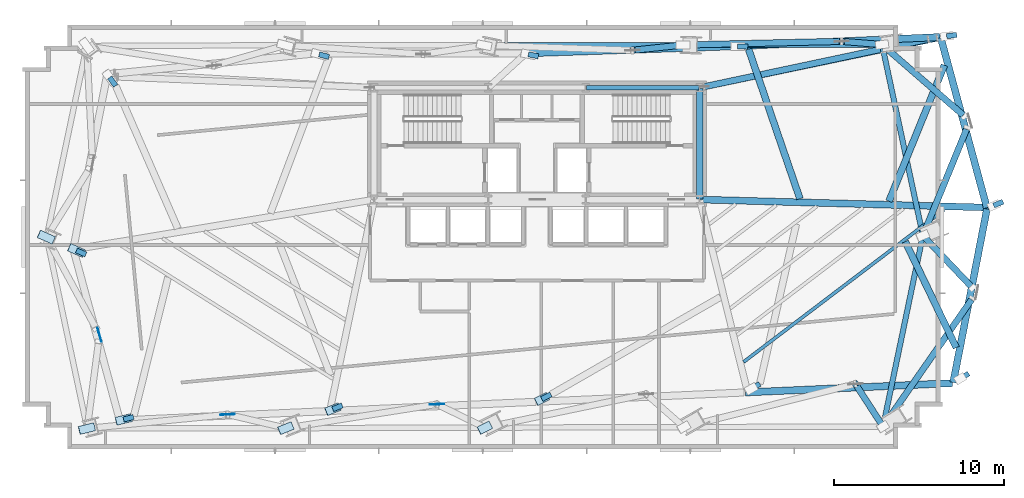
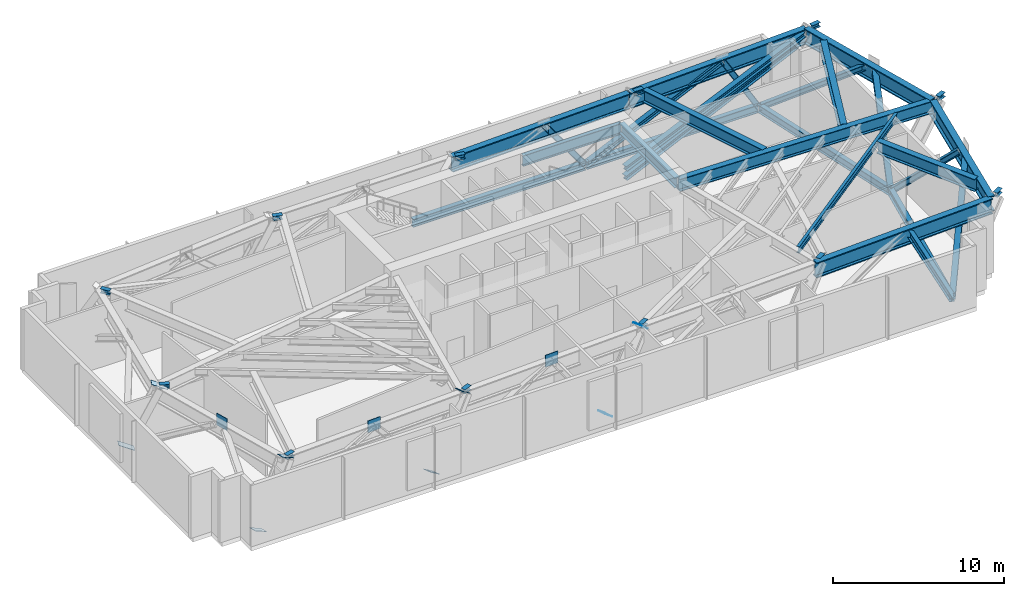
# One storey, part 3 of 11: 24 beams, 14 members, 11 plates.
"""IFC4 building model written with IfcOpenShell, lengths in metres."""

from ifc_helpers import new_model, si_unit, direction, frame, origin, origin_2d, place, context, subcontext, project, spatial, rectangle, i_section, extrude, source, transform, mapped, material, layer, layer_set, material_profile, profile_set, type_object, type_shapes, element, save


model = new_model("IFC4")

# Units and contexts
model_context = context("Model", 3, precision=1e-05, world=origin(), true_north=direction((0.0, 1.0)))
body_context = subcontext(model_context, "Body", "Model", "MODEL_VIEW")
ifc_project = project(units=[si_unit("LENGTHUNIT", "METRE"), si_unit("AREAUNIT", "SQUARE_METRE"), si_unit("VOLUMEUNIT", "CUBIC_METRE"), si_unit("PLANEANGLEUNIT", "RADIAN"), si_unit("MASSUNIT", "GRAM", prefix="KILO")], contexts=[model_context])

# Site, building, storey
site_placement = place(None, origin())
site = spatial("IfcSite", under=ifc_project, at=site_placement, CompositionType="ELEMENT")
building_placement = place(site_placement, origin())
building = spatial("IfcBuilding", under=site, at=building_placement, Name="Astriad Promenade Condominiums", CompositionType="ELEMENT")
storey_placement = place(building_placement, frame((0.0, 0.0, 67.800048828125)))
storey = spatial("IfcBuildingStorey", under=building, at=storey_placement, Name="L19", CompositionType="ELEMENT", Elevation=67.800048828125)

# Beams
ifc_material_1 = material(Name="Steel ASTM A992 Grade 50", Category="steel")
ifc_material_profile_1 = material_profile(ifc_material_1, i_section(OverallWidth=0.267822265625, OverallDepth=0.76953125, WebThickness=0.015625, FlangeThickness=0.025390625, FilletRadius=0.021484375, at=origin_2d()), Name="W30X132")
ifc_profile_set_1 = profile_set([ifc_material_profile_1], Name="Steel ASTM A992 Grade 50")
beam_type_1 = type_object("IfcBeamType", Name="STEEL FLOOR GIRDER W30X132", PredefinedType="BEAM", material=ifc_profile_set_1)
shared_shape_1 = source(origin(), body_context, "Body", "SweptSolid", [
    extrude(i_section(OverallWidth=0.267822265625, OverallDepth=0.76953125, WebThickness=0.015625, FlangeThickness=0.025390625, FilletRadius=0.021484375, at=origin_2d()), origin(), (0.0, 0.0, 1.0), 6.64013671875),
])
type_shapes(beam_type_1, [shared_shape_1])
beam_1_placement = place(storey_placement, frame((38.919921875, 24.0, 3.9951171875), z_axis=(1.0, 0.0, 0.0), x_axis=(0.0, 1.0, 0.0)))
element("IfcBeam", 1, at=beam_1_placement, inside=storey, type_object=beam_type_1, Name="Core Ring Beam CG-N3-L19", PredefinedType="BEAM", context=body_context, shape_type="MappedRepresentation", body=[
    mapped(shared_shape_1, transform((0.0, 0.0, 0.0), scale=1.0)),
])
ifc_material_profile_2 = material_profile(ifc_material_1, i_section(OverallWidth=0.35791015625, OverallDepth=0.706298828125, WebThickness=0.018310546875, FlangeThickness=0.0302734375, FilletRadius=0.020263671875, at=origin_2d()), Name="W27X178")
ifc_profile_set_2 = profile_set([ifc_material_profile_2], Name="Steel ASTM A992 Grade 50")
beam_type_2 = type_object("IfcBeamType", Name="STEEL FLOOR GIRDER W27X178", PredefinedType="BEAM", material=ifc_profile_set_2)
shared_shape_2 = source(origin(), body_context, "Body", "SweptSolid", [
    extrude(i_section(OverallWidth=0.35791015625, OverallDepth=0.706298828125, WebThickness=0.018310546875, FlangeThickness=0.0302734375, FilletRadius=0.020263671875, at=origin_2d()), origin(), (0.0, 0.0, 1.0), 6.52001953125),
])
type_shapes(beam_type_2, [shared_shape_2])
beam_2_placement = place(storey_placement, frame((45.60009765625, 17.43994140625, 4.02685546875), z_axis=(0.0, 1.0, 0.0), x_axis=(-1.0, 0.0, 0.0)))
element("IfcBeam", 2, at=beam_2_placement, inside=storey, type_object=beam_type_2, Name="Core Ring Beam CG-E1-L19", PredefinedType="BEAM", context=body_context, shape_type="MappedRepresentation", body=[
    mapped(shared_shape_2, transform((0.0, 0.0, 0.0), scale=1.0)),
])
ifc_material_profile_3 = material_profile(ifc_material_1, i_section(OverallWidth=0.3046875, OverallDepth=0.307861328125, WebThickness=0.010009765625, FlangeThickness=0.015380859375, FilletRadius=0.01513671875, at=origin_2d()), Name="W12X65")
ifc_profile_set_3 = profile_set([ifc_material_profile_3], Name="Steel ASTM A992 Grade 50")
beam_type_3 = type_object("IfcBeamType", Name="STEEL TRANSFER SPLICE HEADER W12X65", PredefinedType="LINTEL", material=ifc_profile_set_3)
shared_shape_3 = source(origin(), body_context, "Body", "SweptSolid", [
    extrude(i_section(OverallWidth=0.3046875, OverallDepth=0.307861328125, WebThickness=0.010009765625, FlangeThickness=0.015380859375, FilletRadius=0.01513671875, at=origin_2d()), origin(), (0.0, 0.0, 1.0), 0.6015625),
])
for number, where, z_axis, x_axis, name in (
    (3, (11.622802734375, 4.4296875, 4.22607421875), (0.970712710655, 0.24024327956, 0.0), (-0.24024327956, 0.970712710655, 0.0), "Column Transfer Splice Header SPL-PC01-L19"),
    (4, (23.9580078125, 5.0341796875, 4.22607421875), (0.92721202951, 0.374536850432, 0.0), (-0.374536850432, 0.92721202951, 0.0), "Column Transfer Splice Header SPL-PC02-L19"),
    (5, (36.289794921875, 5.633544921875, 4.22607421875), (0.89361407939, 0.448836136152, 0.0), (-0.448836136152, 0.89361407939, 0.0), "Column Transfer Splice Header SPL-PC03-L19"),
    (6, (48.620361328125, 6.22998046875, 4.22607421875), (0.868567654377, 0.495570610277, 0.0), (-0.495570610277, 0.868567654377, 0.0), "Column Transfer Splice Header SPL-PC04-L19"),
    (7, (60.95068359375, 6.82470703125, 4.22607421875), (0.849953586444, 0.526857571731, 0.0), (-0.526857571731, 0.849953586444, 0.0), "Column Transfer Splice Header SPL-PC05-L19"),
    (8, (10.798828125, 24.59765625, 4.22607421875), (0.588509504556, -0.808490298672, 0.0), (0.808490298672, 0.588509504556, 0.0), "Column Transfer Splice Header SPL-PC06-L19"),
    (9, (23.15478515625, 25.96435546875, 4.22607421875), (0.965128162962, -0.261777823848, 0.0), (0.261777823848, 0.965128162962, 0.0), "Column Transfer Splice Header SPL-PC07-L19"),
    (10, (47.831298828125, 26.4306640625, 4.22607421875), (0.999641164632, -0.026786973961, 0.0), (0.026786973961, 0.999641164632, 0.0), "Column Transfer Splice Header SPL-PC09-L19"),
    (11, (60.164306640625, 27.035400390625, 4.22607421875), (0.991634328472, 0.129078885163, 0.0), (-0.129078885163, 0.991634328472, 0.0), "Column Transfer Splice Header SPL-PC10-L19"),
    (12, (8.84130859375, 14.39990234375, 4.22607421875), (0.915410737157, -0.40252103336, 0.0), (0.40252103336, 0.915410737157, 0.0), "Column Transfer Splice Header SPL-PC11-L19"),
    (13, (62.9326171875, 17.042724609375, 4.22607421875), (0.920815952218, 0.389997412993, 0.0), (-0.389997412993, 0.920815952218, 0.0), "Column Transfer Splice Header SPL-PC12-L19"),
):
    element("IfcBeam", number, at=place(storey_placement, frame(where, z_axis=z_axis, x_axis=x_axis)), inside=storey, type_object=beam_type_3, Name=name, PredefinedType="LINTEL", context=body_context, shape_type="MappedRepresentation", body=[
        mapped(shared_shape_3, transform((0.0, 0.0, 0.0), scale=1.0)),
    ])
shared_shape_4 = source(origin(), body_context, "Body", "SweptSolid", [
    extrude(i_section(OverallWidth=0.3046875, OverallDepth=0.307861328125, WebThickness=0.010009765625, FlangeThickness=0.015380859375, FilletRadius=0.01513671875, at=origin_2d()), origin(), (0.0, 0.0, 1.0), 0.601318359375),
])
type_shapes(beam_type_3, [shared_shape_3, shared_shape_4])
beam_3_placement = place(storey_placement, frame((35.494384765625, 25.967041015625, 4.22607421875), z_axis=(0.979600651541, -0.200954132828, 0.0), x_axis=(0.200954132828, 0.979600651541, 0.0)))
element("IfcBeam", 14, at=beam_3_placement, inside=storey, type_object=beam_type_3, Name="Column Transfer Splice Header SPL-PC08-L19", PredefinedType="LINTEL", context=body_context, shape_type="MappedRepresentation", body=[
    mapped(shared_shape_4, transform((0.0, 0.0, 0.0), scale=1.0)),
])
ifc_material_profile_4 = material_profile(ifc_material_1, i_section(OverallWidth=0.4169921875, OverallDepth=1.093505859375, WebThickness=0.0390625, FlangeThickness=0.070068359375, FilletRadius=0.025390625, at=origin_2d()), Name="W40X503")
ifc_profile_set_4 = profile_set([ifc_material_profile_4], Name="Steel ASTM A992 Grade 50")
beam_type_4 = type_object("IfcBeamType", Name="STEEL TRANSFER GIRDER W40X503", PredefinedType="BEAM", material=ifc_profile_set_4)
shared_shape_5 = source(origin(), body_context, "Body", "SweptSolid", [
    extrude(i_section(OverallWidth=0.4169921875, OverallDepth=1.093505859375, WebThickness=0.0390625, FlangeThickness=0.070068359375, FilletRadius=0.025390625, at=origin_2d()), origin(), (0.0, 0.0, 1.0), 12.218505859375),
])
for number, where, z_axis, x_axis, name in (
    (15, (48.296630859375, 6.0244140625, 3.833251953125), (0.99900233011, 0.044658083641, 0.0), (-0.044658083641, 0.99900233011, 0.0), "Perimeter Spandrel Beam SP-S4-L19"),
    (16, (59.76318359375, 26.986572265625, 3.833251953125), (-0.99900233011, -0.044658083641, 0.0), (0.044658083641, -0.99900233011, 0.0), "Perimeter Spandrel Beam SP-N4-L19"),
):
    element("IfcBeam", number, at=place(storey_placement, frame(where, z_axis=z_axis, x_axis=x_axis)), inside=storey, type_object=beam_type_4, Name=name, PredefinedType="BEAM", context=body_context, shape_type="MappedRepresentation", body=[
        mapped(shared_shape_5, transform((0.0, 0.0, 0.0), scale=1.0)),
    ])
shared_shape_6 = source(origin(), body_context, "Body", "SweptSolid", [
    extrude(i_section(OverallWidth=0.4169921875, OverallDepth=1.093505859375, WebThickness=0.0390625, FlangeThickness=0.070068359375, FilletRadius=0.025390625, at=origin_2d()), origin(), (0.0, 0.0, 1.0), 10.42138671875),
])
beam_4_placement = place(storey_placement, frame((60.550537109375, 6.611083984375, 3.833251953125), z_axis=(0.190950545679, 0.981599658264, 0.0), x_axis=(-0.981599658264, 0.190950545679, 0.0)))
element("IfcBeam", 17, at=beam_4_placement, inside=storey, type_object=beam_type_4, Name="Perimeter Spandrel Beam SP-E1-L19", PredefinedType="BEAM", context=body_context, shape_type="MappedRepresentation", body=[
    mapped(shared_shape_6, transform((0.0, 0.0, 0.0), scale=1.0)),
])
shared_shape_7 = source(origin(), body_context, "Body", "SweptSolid", [
    extrude(i_section(OverallWidth=0.4169921875, OverallDepth=1.093505859375, WebThickness=0.0390625, FlangeThickness=0.070068359375, FilletRadius=0.025390625, at=origin_2d()), origin(), (0.0, 0.0, 1.0), 10.394287109375),
])
beam_5_placement = place(storey_placement, frame((62.53759765625, 16.918701171875, 3.833251953125), z_axis=(-0.262055948994, 0.965052682291, 0.0), x_axis=(-0.965052682291, -0.262055948994, 0.0)))
element("IfcBeam", 18, at=beam_5_placement, inside=storey, type_object=beam_type_4, Name="Perimeter Spandrel Beam SP-E2-L19", PredefinedType="BEAM", context=body_context, shape_type="MappedRepresentation", body=[
    mapped(shared_shape_7, transform((0.0, 0.0, 0.0), scale=1.0)),
])
shared_shape_8 = source(origin(), body_context, "Body", "SweptSolid", [
    extrude(i_section(OverallWidth=0.4169921875, OverallDepth=1.093505859375, WebThickness=0.0390625, FlangeThickness=0.070068359375, FilletRadius=0.025390625, at=origin_2d()), origin(), (0.0, 0.0, 1.0), 12.213623046875),
])
type_shapes(beam_type_4, [shared_shape_5, shared_shape_6, shared_shape_7, shared_shape_8])
beam_6_placement = place(storey_placement, frame((47.47705078125, 26.4375, 3.833251953125), z_axis=(-0.999422454481, -0.033981722721, 0.0), x_axis=(0.033981722721, -0.999422454481, 0.0)))
element("IfcBeam", 19, at=beam_6_placement, inside=storey, type_object=beam_type_4, Name="Perimeter Spandrel Beam SP-N3-L19", PredefinedType="BEAM", context=body_context, shape_type="MappedRepresentation", body=[
    mapped(shared_shape_8, transform((0.0, 0.0, 0.0), scale=1.0)),
])
ifc_material_profile_5 = material_profile(ifc_material_1, i_section(OverallWidth=0.4013671875, OverallDepth=0.877197265625, WebThickness=0.022216796875, FlangeThickness=0.039794921875, FilletRadius=0.02294921875, at=origin_2d()), Name="W33X263")
ifc_profile_set_5 = profile_set([ifc_material_profile_5], Name="Steel ASTM A992 Grade 50")
beam_type_5 = type_object("IfcBeamType", Name="STEEL PRIMARY GIRDER W33X263", PredefinedType="BEAM", material=ifc_profile_set_5)
shared_shape_9 = source(origin(), body_context, "Body", "SweptSolid", [
    extrude(i_section(OverallWidth=0.4013671875, OverallDepth=0.877197265625, WebThickness=0.022216796875, FlangeThickness=0.039794921875, FilletRadius=0.02294921875, at=origin_2d()), origin(), (0.0, 0.0, 1.0), 16.98681640625),
])
type_shapes(beam_type_5, [shared_shape_9])
beam_7_placement = place(storey_placement, frame((62.6201171875, 16.9287109375, 3.94140625), z_axis=(-0.99961679945, 0.027681297979, 0.0), x_axis=(-0.027681297979, -0.99961679945, 0.0)))
element("IfcBeam", 20, at=beam_7_placement, inside=storey, type_object=beam_type_5, Name="Primary Floor Girder PG-EM-L19", PredefinedType="BEAM", context=body_context, shape_type="MappedRepresentation", body=[
    mapped(shared_shape_9, transform((0.0, 0.0, 0.0), scale=1.0)),
])
ifc_material_profile_6 = material_profile(ifc_material_1, i_section(OverallWidth=0.19287109375, OverallDepth=0.466064453125, WebThickness=0.011474609375, FlangeThickness=0.01904296875, FilletRadius=0.01513671875, at=origin_2d()), Name="W18X65")
ifc_profile_set_6 = profile_set([ifc_material_profile_6], Name="Steel ASTM A992 Grade 50")
beam_type_6 = type_object("IfcBeamType", Name="STEEL FLOOR JOIST W18X65", PredefinedType="JOIST", material=ifc_profile_set_6)
shared_shape_10 = source(origin(), body_context, "Body", "SweptSolid", [
    extrude(i_section(OverallWidth=0.19287109375, OverallDepth=0.466064453125, WebThickness=0.011474609375, FlangeThickness=0.01904296875, FilletRadius=0.01513671875, at=origin_2d()), origin(), (0.0, 0.0, 1.0), 14.83984375),
])
type_shapes(beam_type_6, [shared_shape_10])
beam_8_placement = place(storey_placement, frame((48.188720703125, 7.821533203125, 4.14697265625), z_axis=(0.796513954502, 0.604620145449, 0.0), x_axis=(-0.604620145449, 0.796513954502, 0.0)))
element("IfcBeam", 21, at=beam_8_placement, inside=storey, type_object=beam_type_6, Name="Secondary Composite Floor Joist JE1-1-L19", PredefinedType="JOIST", context=body_context, shape_type="MappedRepresentation", body=[
    mapped(shared_shape_10, transform((0.0, 0.0, 0.0), scale=1.0)),
])
ifc_material_profile_7 = material_profile(ifc_material_1, i_section(OverallWidth=0.4013671875, OverallDepth=0.877197265625, WebThickness=0.022216796875, FlangeThickness=0.039794921875, FilletRadius=0.02294921875, at=origin_2d()), Name="W33X263")
ifc_profile_set_7 = profile_set([ifc_material_profile_7], Name="Steel ASTM A992 Grade 50")
beam_type_7 = type_object("IfcBeamType", Name="STEEL TRANSFER CARRIER GIRDER W33X263", PredefinedType="BEAM", material=ifc_profile_set_7)
shared_shape_11 = source(origin(), body_context, "Body", "SweptSolid", [
    extrude(i_section(OverallWidth=0.4013671875, OverallDepth=0.877197265625, WebThickness=0.022216796875, FlangeThickness=0.039794921875, FilletRadius=0.02294921875, at=origin_2d()), origin(), (0.0, 0.0, 1.0), 6.947998046875),
])
beam_9_placement = place(storey_placement, frame((57.72021484375, 14.923583984375, 3.94140625), z_axis=(0.433329562612, -0.901235535344, 0.0), x_axis=(0.901235535344, 0.433329562612, 0.0)))
element("IfcBeam", 22, at=beam_9_placement, inside=storey, type_object=beam_type_7, Name="Transfer Splice Carrier TRM-SP-PC05-L19", PredefinedType="BEAM", context=body_context, shape_type="MappedRepresentation", body=[
    mapped(shared_shape_11, transform((0.0, 0.0, 0.0), scale=1.0)),
])
shared_shape_12 = source(origin(), body_context, "Body", "SweptSolid", [
    extrude(i_section(OverallWidth=0.4013671875, OverallDepth=0.877197265625, WebThickness=0.022216796875, FlangeThickness=0.039794921875, FilletRadius=0.02294921875, at=origin_2d()), origin(), (0.0, 0.0, 1.0), 9.322265625),
])
beam_10_placement = place(storey_placement, frame((51.51025390625, 17.4462890625, 3.94140625), z_axis=(-0.324582755862, 0.945857301392, 0.0), x_axis=(-0.945857301392, -0.324582755862, 0.0)))
element("IfcBeam", 23, at=beam_10_placement, inside=storey, type_object=beam_type_7, Name="Transfer Splice Carrier TRM-SP-PC09-L19", PredefinedType="BEAM", context=body_context, shape_type="MappedRepresentation", body=[
    mapped(shared_shape_12, transform((0.0, 0.0, 0.0), scale=1.0)),
])
shared_shape_13 = source(origin(), body_context, "Body", "SweptSolid", [
    extrude(i_section(OverallWidth=0.4013671875, OverallDepth=0.877197265625, WebThickness=0.022216796875, FlangeThickness=0.039794921875, FilletRadius=0.02294921875, at=origin_2d()), origin(), (0.0, 0.0, 1.0), 8.66552734375),
])
type_shapes(beam_type_7, [shared_shape_11, shared_shape_12, shared_shape_13])
beam_11_placement = place(storey_placement, frame((56.76171875, 17.301025390625, 3.94140625), z_axis=(0.377415910117, 0.926043860079, 0.0), x_axis=(-0.926043860079, 0.377415910117, 0.0)))
element("IfcBeam", 24, at=beam_11_placement, inside=storey, type_object=beam_type_7, Name="Transfer Splice Carrier TRM-SP-PC10-L19", PredefinedType="BEAM", context=body_context, shape_type="MappedRepresentation", body=[
    mapped(shared_shape_13, transform((0.0, 0.0, 0.0), scale=1.0)),
])

# Members
ifc_material_profile_8 = material_profile(ifc_material_1, i_section(OverallWidth=0.37255859375, OverallDepth=0.367919921875, WebThickness=0.014892578125, FlangeThickness=0.02392578125, FilletRadius=0.017822265625, at=origin_2d()), Name="W14X120")
ifc_profile_set_8 = profile_set([ifc_material_profile_8], Name="Steel ASTM A992 Grade 50")
member_type_1 = type_object("IfcMemberType", Name="STEEL OUTRIGGER DIAGONAL W14X120", PredefinedType="BRACE", material=ifc_profile_set_8)
shared_shape_14 = source(origin(), body_context, "Body", "SweptSolid", [
    extrude(i_section(OverallWidth=0.37255859375, OverallDepth=0.367919921875, WebThickness=0.014892578125, FlangeThickness=0.02392578125, FilletRadius=0.017822265625, at=origin_2d()), origin(), (0.0, 0.0, 1.0), 4.99560546875),
])
member_1_placement = place(storey_placement, frame((56.40380859375, 4.023681640625, 0.16015625), z_axis=(-0.322738895314, 0.498378445551, 0.804648078642), x_axis=(-0.839371358594, -0.543558389111, 0.0)))
element("IfcMember", 25, at=member_1_placement, inside=storey, type_object=member_type_1, Name="Belt Truss Diagonal L19-04B", PredefinedType="BRACE", context=body_context, shape_type="MappedRepresentation", body=[
    mapped(shared_shape_14, transform((0.0, 0.0, 0.0), scale=1.0)),
])
ifc_material_profile_9 = material_profile(ifc_material_1, i_section(OverallWidth=0.31787109375, OverallDepth=0.560302734375, WebThickness=0.018310546875, FlangeThickness=0.029296875, FilletRadius=0.0166015625, at=origin_2d()), Name="W21X147")
ifc_profile_set_9 = profile_set([ifc_material_profile_9], Name="Steel ASTM A992 Grade 50")
member_type_2 = type_object("IfcMemberType", Name="STEEL BELT TRUSS CHORD W21X147", PredefinedType="CHORD", material=ifc_profile_set_9)
shared_shape_15 = source(origin(), body_context, "Body", "SweptSolid", [
    extrude(i_section(OverallWidth=0.31787109375, OverallDepth=0.560302734375, WebThickness=0.018310546875, FlangeThickness=0.029296875, FilletRadius=0.0166015625, at=origin_2d()), origin(), (0.0, 0.0, 1.0), 11.677001953125),
])
member_2_placement = place(storey_placement, frame((32.913818359375, 26.501708984375, 0.139892578125), z_axis=(0.999999159824, 0.001296283592, 0.0), x_axis=(-0.001296283592, 0.999999159824, 0.0)))
element("IfcMember", 26, at=member_2_placement, inside=storey, type_object=member_type_2, Name="Belt Truss Chord L19-07", PredefinedType="CHORD", context=body_context, shape_type="MappedRepresentation", body=[
    mapped(shared_shape_15, transform((0.0, 0.0, 0.0), scale=1.0)),
])
shared_shape_16 = source(origin(), body_context, "Body", "SweptSolid", [
    extrude(i_section(OverallWidth=0.37255859375, OverallDepth=0.367919921875, WebThickness=0.014892578125, FlangeThickness=0.02392578125, FilletRadius=0.017822265625, at=origin_2d()), origin(), (0.0, 0.0, 1.0), 4.996826171875),
])
member_3_placement = place(storey_placement, frame((44.60107421875, 26.515380859375, 0.16015625), z_axis=(-0.590744539499, -0.062294209566, 0.804450321963), x_axis=(0.104868887761, -0.994486056403, 0.0)))
element("IfcMember", 27, at=member_3_placement, inside=storey, type_object=member_type_1, Name="Belt Truss Diagonal L19-07B", PredefinedType="BRACE", context=body_context, shape_type="MappedRepresentation", body=[
    mapped(shared_shape_16, transform((0.0, 0.0, 0.0), scale=1.0)),
])
shared_shape_17 = source(origin(), body_context, "Body", "SweptSolid", [
    extrude(i_section(OverallWidth=0.31787109375, OverallDepth=0.560302734375, WebThickness=0.018310546875, FlangeThickness=0.029296875, FilletRadius=0.0166015625, at=origin_2d()), origin(), (0.0, 0.0, 1.0), 11.686767578125),
])
member_4_placement = place(storey_placement, frame((44.640869140625, 26.516845703125, 0.139892578125), z_axis=(0.999998071961, 0.001963688792, 0.0), x_axis=(-0.001963688792, 0.999998071961, 0.0)))
element("IfcMember", 28, at=member_4_placement, inside=storey, type_object=member_type_2, Name="Belt Truss Chord L19-08", PredefinedType="CHORD", context=body_context, shape_type="MappedRepresentation", body=[
    mapped(shared_shape_17, transform((0.0, 0.0, 0.0), scale=1.0)),
])
shared_shape_18 = source(origin(), body_context, "Body", "SweptSolid", [
    extrude(i_section(OverallWidth=0.37255859375, OverallDepth=0.367919921875, WebThickness=0.014892578125, FlangeThickness=0.02392578125, FilletRadius=0.017822265625, at=origin_2d()), origin(), (0.0, 0.0, 1.0), 10.155517578125),
])
member_5_placement = place(storey_placement, frame((44.638916015625, 26.517333984375, 0.14990234375), z_axis=(0.91722311563, 0.021107141991, 0.397814334472), x_axis=(-0.023005913373, 0.99973532895, 0.0)))
element("IfcMember", 29, at=member_5_placement, inside=storey, type_object=member_type_1, Name="Belt Truss Diagonal L19-08A", PredefinedType="BRACE", context=body_context, shape_type="MappedRepresentation", body=[
    mapped(shared_shape_18, transform((0.0, 0.0, 0.0), scale=1.0)),
])
shared_shape_19 = source(origin(), body_context, "Body", "SweptSolid", [
    extrude(i_section(OverallWidth=0.37255859375, OverallDepth=0.367919921875, WebThickness=0.014892578125, FlangeThickness=0.02392578125, FilletRadius=0.017822265625, at=origin_2d()), origin(), (0.0, 0.0, 1.0), 4.657958984375),
])
member_6_placement = place(storey_placement, frame((56.340087890625, 26.541015625, 0.16162109375), z_axis=(-0.504678924918, 0.040829253558, 0.862341089591), x_axis=(-0.08063798438, -0.996743455196, 0.0)))
element("IfcMember", 30, at=member_6_placement, inside=storey, type_object=member_type_1, Name="Belt Truss Diagonal L19-08B", PredefinedType="BRACE", context=body_context, shape_type="MappedRepresentation", body=[
    mapped(shared_shape_19, transform((0.0, 0.0, 0.0), scale=1.0)),
])
shared_shape_20 = source(origin(), body_context, "Body", "SweptSolid", [
    extrude(i_section(OverallWidth=0.31787109375, OverallDepth=0.560302734375, WebThickness=0.018310546875, FlangeThickness=0.029296875, FilletRadius=0.0166015625, at=origin_2d()), origin(), (0.0, 0.0, 1.0), 11.4580078125),
])
member_7_placement = place(storey_placement, frame((56.4169921875, 4.035888671875, 0.139892578125), z_axis=(0.204189942674, 0.97893128835, 0.0), x_axis=(-0.97893128835, 0.204189942674, 0.0)))
element("IfcMember", 31, at=member_7_placement, inside=storey, type_object=member_type_2, Name="Belt Truss Chord L19-11", PredefinedType="CHORD", context=body_context, shape_type="MappedRepresentation", body=[
    mapped(shared_shape_20, transform((0.0, 0.0, 0.0), scale=1.0)),
])
shared_shape_21 = source(origin(), body_context, "Body", "SweptSolid", [
    extrude(i_section(OverallWidth=0.37255859375, OverallDepth=0.367919921875, WebThickness=0.014892578125, FlangeThickness=0.02392578125, FilletRadius=0.017822265625, at=origin_2d()), origin(), (0.0, 0.0, 1.0), 9.95263671875),
])
member_8_placement = place(storey_placement, frame((56.425048828125, 4.0302734375, 0.149658203125), z_axis=(0.527520415737, 0.756018563731, 0.387502441637), x_axis=(-0.820093558391, 0.572229460519, 0.0)))
element("IfcMember", 32, at=member_8_placement, inside=storey, type_object=member_type_1, Name="Belt Truss Diagonal L19-11A", PredefinedType="BRACE", context=body_context, shape_type="MappedRepresentation", body=[
    mapped(shared_shape_21, transform((0.0, 0.0, 0.0), scale=1.0)),
])
shared_shape_22 = source(origin(), body_context, "Body", "SweptSolid", [
    extrude(i_section(OverallWidth=0.37255859375, OverallDepth=0.367919921875, WebThickness=0.014892578125, FlangeThickness=0.02392578125, FilletRadius=0.017822265625, at=origin_2d()), origin(), (0.0, 0.0, 1.0), 5.620361328125),
])
member_9_placement = place(storey_placement, frame((58.7744140625, 15.26318359375, 0.156494140625), z_axis=(0.517103731795, -0.544166536306, 0.660671258137), x_axis=(0.724902626214, 0.68885135008, 0.0)))
element("IfcMember", 33, at=member_9_placement, inside=storey, type_object=member_type_1, Name="Belt Truss Diagonal L19-11B", PredefinedType="BRACE", context=body_context, shape_type="MappedRepresentation", body=[
    mapped(shared_shape_22, transform((0.0, 0.0, 0.0), scale=1.0)),
])
shared_shape_23 = source(origin(), body_context, "Body", "SweptSolid", [
    extrude(i_section(OverallWidth=0.31787109375, OverallDepth=0.560302734375, WebThickness=0.018310546875, FlangeThickness=0.029296875, FilletRadius=0.0166015625, at=origin_2d()), origin(), (0.0, 0.0, 1.0), 11.4677734375),
])
type_shapes(member_type_2, [shared_shape_15, shared_shape_17, shared_shape_20, shared_shape_23])
member_10_placement = place(storey_placement, frame((58.75634765625, 15.30126953125, 0.139892578125), z_axis=(-0.209146694993, 0.977884277394, 0.0), x_axis=(-0.977884277394, -0.209146694993, 0.0)))
element("IfcMember", 34, at=member_10_placement, inside=storey, type_object=member_type_2, Name="Belt Truss Chord L19-12", PredefinedType="CHORD", context=body_context, shape_type="MappedRepresentation", body=[
    mapped(shared_shape_23, transform((0.0, 0.0, 0.0), scale=1.0)),
])
shared_shape_24 = source(origin(), body_context, "Body", "SweptSolid", [
    extrude(i_section(OverallWidth=0.37255859375, OverallDepth=0.367919921875, WebThickness=0.014892578125, FlangeThickness=0.02392578125, FilletRadius=0.017822265625, at=origin_2d()), origin(), (0.0, 0.0, 1.0), 7.8349609375),
])
member_11_placement = place(storey_placement, frame((58.77001953125, 15.297119140625, 0.152099609375), z_axis=(0.332073013698, 0.808635336255, 0.48562990696), x_axis=(-0.925037936748, 0.379874736693, 0.0)))
element("IfcMember", 35, at=member_11_placement, inside=storey, type_object=member_type_1, Name="Belt Truss Diagonal L19-12A", PredefinedType="BRACE", context=body_context, shape_type="MappedRepresentation", body=[
    mapped(shared_shape_24, transform((0.0, 0.0, 0.0), scale=1.0)),
])
shared_shape_25 = source(origin(), body_context, "Body", "SweptSolid", [
    extrude(i_section(OverallWidth=0.37255859375, OverallDepth=0.367919921875, WebThickness=0.014892578125, FlangeThickness=0.02392578125, FilletRadius=0.017822265625, at=origin_2d()), origin(), (0.0, 0.0, 1.0), 7.453125),
])
member_12_placement = place(storey_placement, frame((56.368896484375, 26.52587890625, 0.152587890625), z_axis=(0.649934506507, -0.564438359035, 0.508914998896), x_axis=(0.655700927293, 0.755020724184, 0.0)))
element("IfcMember", 36, at=member_12_placement, inside=storey, type_object=member_type_1, Name="Belt Truss Diagonal L19-12B", PredefinedType="BRACE", context=body_context, shape_type="MappedRepresentation", body=[
    mapped(shared_shape_25, transform((0.0, 0.0, 0.0), scale=1.0)),
])
shared_shape_26 = source(origin(), body_context, "Body", "SweptSolid", [
    extrude(i_section(OverallWidth=0.37255859375, OverallDepth=0.367919921875, WebThickness=0.014892578125, FlangeThickness=0.02392578125, FilletRadius=0.017822265625, at=origin_2d()), origin(), (0.0, 0.0, 1.0), 13.860107421875),
])
member_13_placement = place(storey_placement, frame((45.86669921875, 24.056396484375, 0.3037109375), z_axis=(0.952573832926, 0.201738717589, 0.227825772575), x_axis=(-0.20718734829, 0.978301284221, 0.0)))
element("IfcMember", 37, at=member_13_placement, inside=storey, type_object=member_type_1, Name="Outrigger Truss Diagonal L19-02A", PredefinedType="BRACE", context=body_context, shape_type="MappedRepresentation", body=[
    mapped(shared_shape_26, transform((0.0, 0.0, 0.0), scale=1.0)),
])
shared_shape_27 = source(origin(), body_context, "Body", "SweptSolid", [
    extrude(i_section(OverallWidth=0.37255859375, OverallDepth=0.367919921875, WebThickness=0.014892578125, FlangeThickness=0.02392578125, FilletRadius=0.017822265625, at=origin_2d()), origin(), (0.0, 0.0, 1.0), 14.35009765625),
])
type_shapes(member_type_1, [shared_shape_14, shared_shape_16, shared_shape_18, shared_shape_19, shared_shape_21, shared_shape_22, shared_shape_24, shared_shape_25, shared_shape_26, shared_shape_27])
member_14_placement = place(storey_placement, frame((45.867919921875, 24.055908203125, 0.9794921875), z_axis=(0.956519512661, 0.199735674267, 0.212546659167), x_axis=(-0.20440616743, 0.978886162287, 0.0)))
element("IfcMember", 38, at=member_14_placement, inside=storey, type_object=member_type_1, Name="Outrigger Truss Diagonal L19-02B", PredefinedType="BRACE", context=body_context, shape_type="MappedRepresentation", body=[
    mapped(shared_shape_27, transform((0.0, 0.0, 0.0), scale=1.0)),
])

# Plates
ifc_material_2 = material(Name="Steel ASTM A572 Grade 50", Category="steel")
ifc_layer_1 = layer(ifc_material_2, 0.02490234375)
ifc_layer_set_1 = layer_set([ifc_layer_1], Name="Steel ASTM A572 Grade 50")
plate_type_1 = type_object("IfcPlateType", Name="STEEL HOLLOW SECTION END CAP PLATE 30", PredefinedType="USERDEFINED", material=ifc_layer_set_1)
shared_shape_28 = source(origin(), body_context, "Body", "SweptSolid", [
    extrude(rectangle(XDim=0.477294921875, YDim=1.05126953125, at=origin_2d()), origin(), (0.0, 0.0, 1.0), 0.02490234375),
])
type_shapes(plate_type_1, [shared_shape_28])
for number, where, z_axis, x_axis, name in (
    (39, (9.448974609375, 3.89208984375, 0.09326171875), (0.459205420723, 0.113580402932, 0.881039087469), (-0.240105634402, 0.970746766324, 0.0), "Hollow Section End Cap Plate COL-PC01-L19-A"),
    (40, (11.622802734375, 4.4296875, 4.2646484375), (0.459205420723, 0.113580402932, 0.881039087469), (-0.240105634402, 0.970746766324, 0.0), "Hollow Section End Cap Plate COL-PC01-L19-B"),
    (41, (21.18115234375, 3.912841796875, 0.120361328125), (0.545266929133, 0.220202434054, 0.808823135197), (-0.374460830026, 0.927242733472, 0.0), "Hollow Section End Cap Plate COL-PC02-L19-A"),
    (42, (23.9580078125, 5.034423828125, 4.239501953125), (0.545266929133, 0.220202434054, 0.808823135197), (-0.374460830026, 0.927242733472, 0.0), "Hollow Section End Cap Plate COL-PC02-L19-B"),
    (43, (32.917724609375, 3.93896484375, 0.142333984375), (0.606984095948, 0.305001778974, 0.733855722938), (-0.448990682278, 0.893536438668, 0.0), "Hollow Section End Cap Plate COL-PC03-L19-A"),
    (44, (36.2900390625, 5.633544921875, 4.219482421875), (0.606984095948, 0.305001778974, 0.733855722938), (-0.448990682278, 0.893536438668, 0.0), "Hollow Section End Cap Plate COL-PC03-L19-B"),
    (45, (7.0546875, 15.184814453125, 0.081787109375), (0.386233172862, -0.16968612194, 0.906659007677), (0.402229206946, 0.915539002489, 0.0), "Hollow Section End Cap Plate COL-PC11-L19-A"),
    (46, (8.84130859375, 14.39990234375, 4.275634765625), (0.386233172862, -0.16968612194, 0.906659007677), (0.402229206946, 0.915539002489, 0.0), "Hollow Section End Cap Plate COL-PC11-L19-B"),
):
    element("IfcPlate", number, at=place(storey_placement, frame(where, z_axis=z_axis, x_axis=x_axis)), inside=storey, type_object=plate_type_1, Name=name, ObjectType="STIFFENER_PLATE", PredefinedType="USERDEFINED", context=body_context, shape_type="MappedRepresentation", body=[
        mapped(shared_shape_28, transform((0.0, 0.0, 0.0), scale=1.0)),
    ])
ifc_layer_2 = layer(ifc_material_2, 0.0400390625)
ifc_layer_set_2 = layer_set([ifc_layer_2], Name="Steel ASTM A572 Grade 50")
plate_type_2 = type_object("IfcPlateType", Name="STEEL TRUSS NODE GUSSET PLATE 40", PredefinedType="USERDEFINED", material=ifc_layer_set_2)
shared_shape_29 = source(origin(), body_context, "Body", "SweptSolid", [
    extrude(rectangle(XDim=0.85009765625, YDim=0.0400390625, at=origin_2d()), origin(), (0.0, 0.0, 1.0), 0.85009765625),
])
type_shapes(plate_type_2, [shared_shape_29])
for number, where, z_axis, x_axis, name in (
    (47, (17.76025390625, 4.722412109375, 3.77490234375), (0.0, 0.0, 1.0), (0.998814648022, 0.048675444496, 0.0), "Truss Gusset Plate GP-BELT-L19-01"),
    (48, (30.1025390625, 5.324462890625, 3.77490234375), (0.0, 0.0, 1.0), (0.998814648022, 0.048675444496, 0.0), "Truss Gusset Plate GP-BELT-L19-02"),
    (49, (10.19921875, 9.417724609375, 3.77490234375), (0.0, 0.0, 1.0), (-0.268079200424, 0.963396876837, 0.0), "Truss Gusset Plate GP-BELT-L19-09"),
):
    element("IfcPlate", number, at=place(storey_placement, frame(where, z_axis=z_axis, x_axis=x_axis)), inside=storey, type_object=plate_type_2, Name=name, ObjectType="GUSSET_PLATE", PredefinedType="USERDEFINED", context=body_context, shape_type="MappedRepresentation", body=[
        mapped(shared_shape_29, transform((0.0, 0.0, 0.0), scale=1.0)),
    ])

save(model, "model.ifc")
